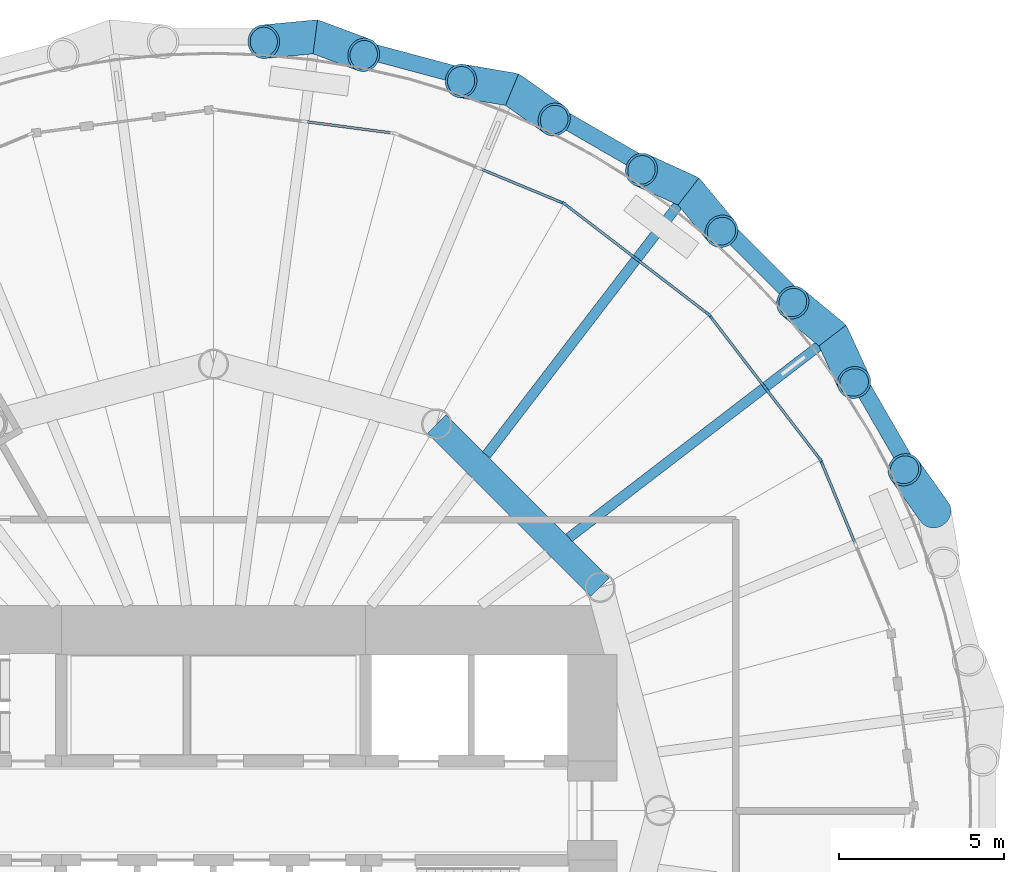
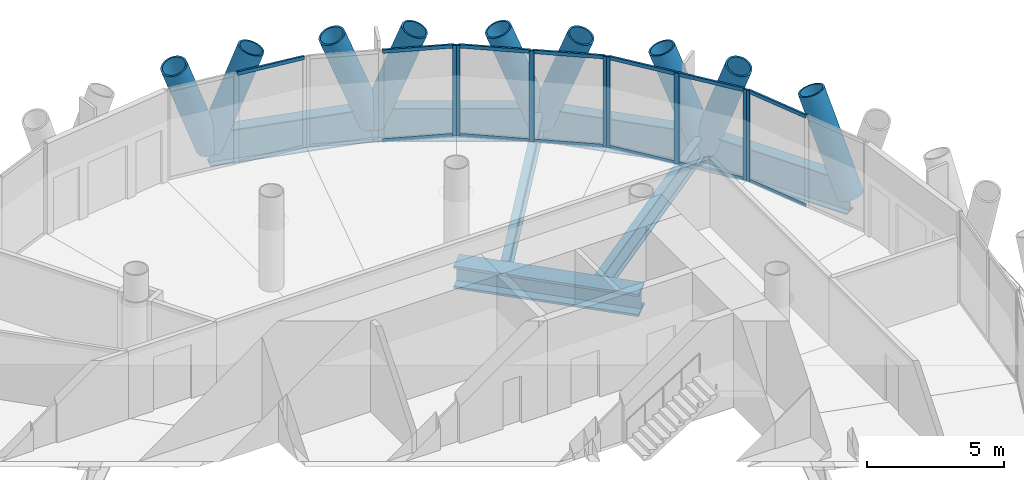
# One storey, part 7 of 14: 30 members, 7 beams, 5 elements without a shape of their own.
"""IFC4 building model written with IfcOpenShell, lengths in metres."""

from ifc_helpers import new_model, si_unit, direction, frame, origin, origin_2d, place, context, subcontext, project, spatial, rectangle, hollow_circle, i_section, extrude, material, material_profile, profile_set, type_object, element, aggregate, save


model = new_model("IFC4")

# Units and contexts
model_context = context("Model", 3, precision=1e-05, world=origin(), true_north=direction((0.0, 1.0)))
body_context = subcontext(model_context, "Body", "Model", "MODEL_VIEW")
ifc_project = project(units=[si_unit("LENGTHUNIT", "METRE"), si_unit("AREAUNIT", "SQUARE_METRE"), si_unit("VOLUMEUNIT", "CUBIC_METRE"), si_unit("PLANEANGLEUNIT", "RADIAN"), si_unit("MASSUNIT", "GRAM", prefix="KILO")], contexts=[model_context])

# Site, building, storey
site_placement = place(None, origin())
site = spatial("IfcSite", under=ifc_project, at=site_placement, CompositionType="ELEMENT")
building_placement = place(site_placement, origin())
building = spatial("IfcBuilding", under=site, at=building_placement, Name="Qaws Media Tower", CompositionType="ELEMENT")
storey_placement = place(building_placement, frame((0.0, 0.0, 202.39990234375)))
storey = spatial("IfcBuildingStorey", under=building, at=storey_placement, Name="L46", CompositionType="ELEMENT", Elevation=202.39990234375)

# Curtain wall, member
ifc_material_1 = material(Name="Aluminium and clear glass", Category="aluminium")
curtain_wall_type = type_object("IfcCurtainWallType", Name="Unitised curtain wall CW-C", PredefinedType="NOTDEFINED", material=ifc_material_1)
curtain_wall_1_placement = place(storey_placement, origin())
curtain_wall_1 = element("IfcCurtainWall", 1, at=curtain_wall_1_placement, inside=storey, type_object=curtain_wall_type, Name="CWC curtain wall L46-02", PredefinedType="NOTDEFINED")
ifc_material_2 = material(Name="Aluminium mullion", Category="aluminium")
ifc_material_profile_1 = material_profile(ifc_material_2, rectangle(XDim=0.080078125, YDim=0.199951171875, at=origin_2d()), Name="80x200")
ifc_profile_set_1 = profile_set([ifc_material_profile_1], Name="Aluminium mullion")
member_type_1 = type_object("IfcMemberType", Name="Curtain wall mullion 80x200", PredefinedType="MULLION", material=ifc_profile_set_1)
member_1_placement = place(storey_placement, frame((78.375, 60.56298828125, 0.0), z_axis=(0.0, 0.0, 1.0), x_axis=(-0.923879523321, -0.382683454553, 0.0)))
member_1 = element("IfcMember", 2, at=member_1_placement, type_object=member_type_1, Name="CWC mullion 3", PredefinedType="MULLION", context=body_context, shape_type="SweptSolid", body=[
    extrude(rectangle(XDim=0.080078125, YDim=0.199951171875, at=origin_2d()), origin(), (0.0, 0.0, 1.0), 4.0400390625),
])

# Curtain wall, members
curtain_wall_2_placement = place(storey_placement, origin())
curtain_wall_2 = element("IfcCurtainWall", 3, at=curtain_wall_2_placement, inside=storey, type_object=curtain_wall_type, Name="CWC curtain wall L46-03", PredefinedType="NOTDEFINED")
member_2_placement = place(storey_placement, frame((78.33544921875, 60.6318359375, 0.0), z_axis=(0.0, 0.0, 1.0), x_axis=(-0.793353338751, -0.608761431016, 0.0)))
member_2 = element("IfcMember", 4, at=member_2_placement, type_object=member_type_1, Name="CWC mullion 1", PredefinedType="MULLION", context=body_context, shape_type="SweptSolid", body=[
    extrude(rectangle(XDim=0.080078125, YDim=0.199951171875, at=origin_2d()), origin(), (0.0, 0.0, 1.0), 4.0400390625),
])
member_3_placement = place(storey_placement, frame((76.67529296875, 62.79541015625, 0.0), z_axis=(0.0, 0.0, 1.0), x_axis=(-0.793353338751, -0.608761431016, 0.0)))
member_3 = element("IfcMember", 5, at=member_3_placement, type_object=member_type_1, Name="CWC mullion 2", PredefinedType="MULLION", context=body_context, shape_type="SweptSolid", body=[
    extrude(rectangle(XDim=0.080078125, YDim=0.199951171875, at=origin_2d()), origin(), (0.0, 0.0, 1.0), 4.0400390625),
])
member_4_placement = place(storey_placement, frame((75.014892578125, 64.958984375, 0.0), z_axis=(0.0, 0.0, 1.0), x_axis=(-0.793353338751, -0.608761431016, 0.0)))
member_4 = element("IfcMember", 6, at=member_4_placement, type_object=member_type_1, Name="CWC mullion 3", PredefinedType="MULLION", context=body_context, shape_type="SweptSolid", body=[
    extrude(rectangle(XDim=0.080078125, YDim=0.199951171875, at=origin_2d()), origin(), (0.0, 0.0, 1.0), 4.0400390625),
])

curtain_wall_3_placement = place(storey_placement, origin())
curtain_wall_3 = element("IfcCurtainWall", 7, at=curtain_wall_3_placement, inside=storey, type_object=curtain_wall_type, Name="CWC curtain wall L46-04", PredefinedType="NOTDEFINED")
member_5_placement = place(storey_placement, frame((74.958984375, 65.014892578125, 0.0), z_axis=(0.0, 0.0, 1.0), x_axis=(-0.608761431016, -0.793353338751, 0.0)))
member_5 = element("IfcMember", 8, at=member_5_placement, type_object=member_type_1, Name="CWC mullion 1", PredefinedType="MULLION", context=body_context, shape_type="SweptSolid", body=[
    extrude(rectangle(XDim=0.080078125, YDim=0.199951171875, at=origin_2d()), origin(), (0.0, 0.0, 1.0), 4.0400390625),
])
member_6_placement = place(storey_placement, frame((72.79541015625, 66.67529296875, 0.0), z_axis=(0.0, 0.0, 1.0), x_axis=(-0.608761431016, -0.793353338751, 0.0)))
member_6 = element("IfcMember", 9, at=member_6_placement, type_object=member_type_1, Name="CWC mullion 2", PredefinedType="MULLION", context=body_context, shape_type="SweptSolid", body=[
    extrude(rectangle(XDim=0.080078125, YDim=0.199951171875, at=origin_2d()), origin(), (0.0, 0.0, 1.0), 4.0400390625),
])
member_7_placement = place(storey_placement, frame((70.6318359375, 68.33544921875, 0.0), z_axis=(0.0, 0.0, 1.0), x_axis=(-0.608761431016, -0.793353338751, 0.0)))
member_7 = element("IfcMember", 10, at=member_7_placement, type_object=member_type_1, Name="CWC mullion 3", PredefinedType="MULLION", context=body_context, shape_type="SweptSolid", body=[
    extrude(rectangle(XDim=0.080078125, YDim=0.199951171875, at=origin_2d()), origin(), (0.0, 0.0, 1.0), 4.0400390625),
])

# Curtain wall, member
curtain_wall_4_placement = place(storey_placement, origin())
curtain_wall_4 = element("IfcCurtainWall", 11, at=curtain_wall_4_placement, inside=storey, type_object=curtain_wall_type, Name="CWC curtain wall L46-05", PredefinedType="NOTDEFINED")
member_8_placement = place(storey_placement, frame((70.56298828125, 68.375, 0.0), z_axis=(0.0, 0.0, 1.0), x_axis=(-0.382683454553, -0.923879523321, 0.0)))
member_8 = element("IfcMember", 12, at=member_8_placement, type_object=member_type_1, Name="CWC mullion 1", PredefinedType="MULLION", context=body_context, shape_type="SweptSolid", body=[
    extrude(rectangle(XDim=0.080078125, YDim=0.199951171875, at=origin_2d()), origin(), (0.0, 0.0, 1.0), 4.0400390625),
])

# Member
ifc_material_3 = material(Name="Aluminium transom", Category="aluminium")
ifc_material_profile_2 = material_profile(ifc_material_3, rectangle(XDim=0.080078125, YDim=0.159912109375, at=origin_2d()), Name="80x160")
ifc_profile_set_2 = profile_set([ifc_material_profile_2], Name="Aluminium transom")
member_type_2 = type_object("IfcMemberType", Name="Curtain wall transom 80x160", PredefinedType="USERDEFINED", material=ifc_profile_set_2)
member_9_placement = place(storey_placement, frame((79.4033203125, 58.080322265625, 0.0400390625), z_axis=(-0.38263687271, 0.923898816777, 0.0), x_axis=(-0.923898816777, -0.38263687271, 0.0)))
member_9 = element("IfcMember", 13, at=member_9_placement, type_object=member_type_2, Name="CWC transom 2.1", ObjectType="TRANSOM", PredefinedType="USERDEFINED", context=body_context, shape_type="SweptSolid", body=[
    extrude(rectangle(XDim=0.080078125, YDim=0.159912109375, at=origin_2d()), origin(), (0.0, 0.0, 1.0), 2.647216796875),
])

member_10_placement = place(storey_placement, frame((79.4033203125, 58.080322265625, 4.0), z_axis=(-0.38263687271, 0.923898816777, 0.0), x_axis=(-0.923898816777, -0.38263687271, 0.0)))
member_10 = element("IfcMember", 14, at=member_10_placement, type_object=member_type_2, Name="CWC transom 2.2", ObjectType="TRANSOM", PredefinedType="USERDEFINED", context=body_context, shape_type="SweptSolid", body=[
    extrude(rectangle(XDim=0.080078125, YDim=0.159912109375, at=origin_2d()), origin(), (0.0, 0.0, 1.0), 2.647216796875),
])

aggregate(curtain_wall_1, [member_1, member_9, member_10])

member_11_placement = place(storey_placement, frame((78.31103515625, 60.66357421875, 0.0400390625), z_axis=(-0.608787739029, 0.793333151209, 0.0), x_axis=(-0.793333151209, -0.608787739029, 0.0)))
member_11 = element("IfcMember", 15, at=member_11_placement, type_object=member_type_2, Name="CWC transom 1.1", ObjectType="TRANSOM", PredefinedType="USERDEFINED", context=body_context, shape_type="SweptSolid", body=[
    extrude(rectangle(XDim=0.080078125, YDim=0.159912109375, at=origin_2d()), origin(), (0.0, 0.0, 1.0), 2.647216796875),
])

member_12_placement = place(storey_placement, frame((78.31103515625, 60.66357421875, 4.0), z_axis=(-0.608787739029, 0.793333151209, 0.0), x_axis=(-0.793333151209, -0.608787739029, 0.0)))
member_12 = element("IfcMember", 16, at=member_12_placement, type_object=member_type_2, Name="CWC transom 1.2", ObjectType="TRANSOM", PredefinedType="USERDEFINED", context=body_context, shape_type="SweptSolid", body=[
    extrude(rectangle(XDim=0.080078125, YDim=0.159912109375, at=origin_2d()), origin(), (0.0, 0.0, 1.0), 2.647216796875),
])

member_13_placement = place(storey_placement, frame((76.65087890625, 62.8271484375, 0.0400390625), z_axis=(-0.608787739029, 0.793333151209, 0.0), x_axis=(-0.793333151209, -0.608787739029, 0.0)))
member_13 = element("IfcMember", 17, at=member_13_placement, type_object=member_type_2, Name="CWC transom 2.1", ObjectType="TRANSOM", PredefinedType="USERDEFINED", context=body_context, shape_type="SweptSolid", body=[
    extrude(rectangle(XDim=0.080078125, YDim=0.159912109375, at=origin_2d()), origin(), (0.0, 0.0, 1.0), 2.647216796875),
])

member_14_placement = place(storey_placement, frame((76.65087890625, 62.8271484375, 4.0), z_axis=(-0.608787739029, 0.793333151209, 0.0), x_axis=(-0.793333151209, -0.608787739029, 0.0)))
member_14 = element("IfcMember", 18, at=member_14_placement, type_object=member_type_2, Name="CWC transom 2.2", ObjectType="TRANSOM", PredefinedType="USERDEFINED", context=body_context, shape_type="SweptSolid", body=[
    extrude(rectangle(XDim=0.080078125, YDim=0.159912109375, at=origin_2d()), origin(), (0.0, 0.0, 1.0), 2.647216796875),
])

aggregate(curtain_wall_2, [member_2, member_3, member_4, member_11, member_12, member_13, member_14])

member_15_placement = place(storey_placement, frame((74.92724609375, 65.039306640625, 0.0400390625), z_axis=(-0.793333151209, 0.608787739029, 0.0), x_axis=(-0.608787739029, -0.793333151209, 0.0)))
member_15 = element("IfcMember", 19, at=member_15_placement, type_object=member_type_2, Name="CWC transom 1.1", ObjectType="TRANSOM", PredefinedType="USERDEFINED", context=body_context, shape_type="SweptSolid", body=[
    extrude(rectangle(XDim=0.080078125, YDim=0.159912109375, at=origin_2d()), origin(), (0.0, 0.0, 1.0), 2.647216796875),
])

member_16_placement = place(storey_placement, frame((74.92724609375, 65.039306640625, 4.0), z_axis=(-0.793333151209, 0.608787739029, 0.0), x_axis=(-0.608787739029, -0.793333151209, 0.0)))
member_16 = element("IfcMember", 20, at=member_16_placement, type_object=member_type_2, Name="CWC transom 1.2", ObjectType="TRANSOM", PredefinedType="USERDEFINED", context=body_context, shape_type="SweptSolid", body=[
    extrude(rectangle(XDim=0.080078125, YDim=0.159912109375, at=origin_2d()), origin(), (0.0, 0.0, 1.0), 2.647216796875),
])

member_17_placement = place(storey_placement, frame((72.763671875, 66.699462890625, 0.0400390625), z_axis=(-0.793333151209, 0.608787739029, 0.0), x_axis=(-0.608787739029, -0.793333151209, 0.0)))
member_17 = element("IfcMember", 21, at=member_17_placement, type_object=member_type_2, Name="CWC transom 2.1", ObjectType="TRANSOM", PredefinedType="USERDEFINED", context=body_context, shape_type="SweptSolid", body=[
    extrude(rectangle(XDim=0.080078125, YDim=0.159912109375, at=origin_2d()), origin(), (0.0, 0.0, 1.0), 2.647216796875),
])

member_18_placement = place(storey_placement, frame((72.763671875, 66.699462890625, 4.0), z_axis=(-0.793333151209, 0.608787739029, 0.0), x_axis=(-0.608787739029, -0.793333151209, 0.0)))
member_18 = element("IfcMember", 22, at=member_18_placement, type_object=member_type_2, Name="CWC transom 2.2", ObjectType="TRANSOM", PredefinedType="USERDEFINED", context=body_context, shape_type="SweptSolid", body=[
    extrude(rectangle(XDim=0.080078125, YDim=0.159912109375, at=origin_2d()), origin(), (0.0, 0.0, 1.0), 2.647216796875),
])

aggregate(curtain_wall_3, [member_5, member_6, member_7, member_15, member_16, member_17, member_18])

member_19_placement = place(storey_placement, frame((70.526123046875, 68.390380859375, 0.0400390625), z_axis=(-0.923898816777, 0.38263687271, 0.0), x_axis=(-0.38263687271, -0.923898816777, 0.0)))
member_19 = element("IfcMember", 23, at=member_19_placement, type_object=member_type_2, Name="CWC transom 1.1", ObjectType="TRANSOM", PredefinedType="USERDEFINED", context=body_context, shape_type="SweptSolid", body=[
    extrude(rectangle(XDim=0.080078125, YDim=0.159912109375, at=origin_2d()), origin(), (0.0, 0.0, 1.0), 2.647216796875),
])

member_20_placement = place(storey_placement, frame((70.526123046875, 68.390380859375, 4.0), z_axis=(-0.923898816777, 0.38263687271, 0.0), x_axis=(-0.38263687271, -0.923898816777, 0.0)))
member_20 = element("IfcMember", 24, at=member_20_placement, type_object=member_type_2, Name="CWC transom 1.2", ObjectType="TRANSOM", PredefinedType="USERDEFINED", context=body_context, shape_type="SweptSolid", body=[
    extrude(rectangle(XDim=0.080078125, YDim=0.159912109375, at=origin_2d()), origin(), (0.0, 0.0, 1.0), 2.647216796875),
])

aggregate(curtain_wall_4, [member_8, member_19, member_20])

# Curtain wall, member
curtain_wall_5_placement = place(storey_placement, origin())
curtain_wall_5 = element("IfcCurtainWall", 25, at=curtain_wall_5_placement, inside=storey, type_object=curtain_wall_type, Name="CWC curtain wall L46-06", PredefinedType="NOTDEFINED")
member_21_placement = place(storey_placement, frame((65.40771484375, 70.488037109375, 4.0), z_axis=(-0.991448016129, 0.130502227239, 0.0), x_axis=(-0.130502227239, -0.991448016129, 0.0)))
member_21 = element("IfcMember", 26, at=member_21_placement, type_object=member_type_2, Name="CWC transom 1.2", ObjectType="TRANSOM", PredefinedType="USERDEFINED", context=body_context, shape_type="SweptSolid", body=[
    extrude(rectangle(XDim=0.080078125, YDim=0.159912109375, at=origin_2d()), origin(), (0.0, 0.0, 1.0), 2.647216796875),
])
aggregate(curtain_wall_5, [member_21])

# Members
ifc_material_4 = material(Name="Steel S460", Category="steel")
ifc_material_profile_3 = material_profile(ifc_material_4, hollow_circle(Radius=0.508056640625, WallThickness=0.070068359375, at=origin_2d()), Name="CHS 1016x70")
ifc_profile_set_3 = profile_set([ifc_material_profile_3], Name="Steel S460")
member_type_3 = type_object("IfcMemberType", Name="Diagrid member CHS 1016x70", PredefinedType="USERDEFINED", material=ifc_profile_set_3)
member_22_placement = place(storey_placement, frame((81.803466796875, 59.03125, -0.909912109375), z_axis=(-0.202217491802, 0.284313871152, 0.93716258391), x_axis=(-0.814902881425, -0.579597527467, 0.0)))
element("IfcMember", 27, at=member_22_placement, inside=storey, type_object=member_type_3, Name="DG3 diagrid L46 A02", ObjectType="DIAGRID", PredefinedType="USERDEFINED", context=body_context, shape_type="SweptSolid", body=[
    extrude(hollow_circle(Radius=0.508056640625, WallThickness=0.070068359375, at=origin_2d()), origin(), (0.0, 0.0, 1.0), 4.4814453125),
])
member_23_placement = place(storey_placement, frame((78.72314453125, 64.36669921875, -0.909912109375), z_axis=(-0.268950060745, 0.222263773109, 0.937157766861), x_axis=(-0.637030728168, -0.770838408079, 0.0)))
element("IfcMember", 28, at=member_23_placement, inside=storey, type_object=member_type_3, Name="DG3 diagrid L46 A03", ObjectType="DIAGRID", PredefinedType="USERDEFINED", context=body_context, shape_type="SweptSolid", body=[
    extrude(hollow_circle(Radius=0.508056640625, WallThickness=0.070068359375, at=origin_2d()), origin(), (0.0, 0.0, 1.0), 4.481689453125),
])
for number, where, z_axis, x_axis, name in (
    (29, (78.72314453125, 64.36669921875, -0.909912109375), (0.145072807863, -0.317275265863, 0.937171428337), (0.909439045115, 0.41583725569, 0.0), "DG3 diagrid L46 B03"),
    (30, (74.36669921875, 68.72314453125, -0.909912109375), (-0.317275265863, 0.145072807863, 0.937171428337), (-0.41583725569, -0.909439045115, 0.0), "DG3 diagrid L46 A04"),
):
    element("IfcMember", number, at=place(storey_placement, frame(where, z_axis=z_axis, x_axis=x_axis)), inside=storey, type_object=member_type_3, Name=name, ObjectType="DIAGRID", PredefinedType="USERDEFINED", context=body_context, shape_type="SweptSolid", body=[
        extrude(hollow_circle(Radius=0.508056640625, WallThickness=0.070068359375, at=origin_2d()), origin(), (0.0, 0.0, 1.0), 4.4814453125),
    ])
member_24_placement = place(storey_placement, frame((74.36669921875, 68.72314453125, -0.909912109375), z_axis=(0.222263773109, -0.268950060745, 0.937157766861), x_axis=(0.770838408079, 0.637030728168, 0.0)))
element("IfcMember", 31, at=member_24_placement, inside=storey, type_object=member_type_3, Name="DG3 diagrid L46 B04", ObjectType="DIAGRID", PredefinedType="USERDEFINED", context=body_context, shape_type="SweptSolid", body=[
    extrude(hollow_circle(Radius=0.508056640625, WallThickness=0.070068359375, at=origin_2d()), origin(), (0.0, 0.0, 1.0), 4.481689453125),
])
for number, where, z_axis, x_axis, name in (
    (32, (69.03125, 71.803466796875, -0.909912109375), (-0.34402209257, 0.058017977607, 0.937167388516), (-0.166297781756, -0.986075579143, 0.0), "DG3 diagrid L46 A05"),
    (33, (69.03125, 71.803466796875, -0.909912109375), (0.284313871152, -0.202217491802, 0.93716258391), (0.579597527467, 0.814902881425, 0.0), "DG3 diagrid L46 B05"),
    (34, (63.080322265625, 73.398193359375, -0.909912109375), (-0.347292966152, -0.03306773811, 0.937173473994), (0.094786985058, -0.995497577829, 0.0), "DG3 diagrid L46 A06"),
):
    element("IfcMember", number, at=place(storey_placement, frame(where, z_axis=z_axis, x_axis=x_axis)), inside=storey, type_object=member_type_3, Name=name, ObjectType="DIAGRID", PredefinedType="USERDEFINED", context=body_context, shape_type="SweptSolid", body=[
        extrude(hollow_circle(Radius=0.508056640625, WallThickness=0.070068359375, at=origin_2d()), origin(), (0.0, 0.0, 1.0), 4.4814453125),
    ])
member_25_placement = place(storey_placement, frame((63.080322265625, 73.398193359375, -0.909912109375), z_axis=(0.326965826616, -0.121808661832, 0.937153134834), x_axis=(0.349103646691, 0.937084117818, 0.0)))
element("IfcMember", 35, at=member_25_placement, inside=storey, type_object=member_type_3, Name="DG3 diagrid L46 B06", ObjectType="DIAGRID", PredefinedType="USERDEFINED", context=body_context, shape_type="SweptSolid", body=[
    extrude(hollow_circle(Radius=0.508056640625, WallThickness=0.070068359375, at=origin_2d()), origin(), (0.0, 0.0, 1.0), 4.481689453125),
])

# Beams
ifc_material_5 = material(Name="Steel S460", Category="steel")
ifc_material_profile_4 = material_profile(ifc_material_5, i_section(OverallWidth=0.5, OverallDepth=1.5, WebThickness=0.02001953125, FlangeThickness=0.0400390625, at=origin_2d()), Name="PG 1500x500")
ifc_profile_set_4 = profile_set([ifc_material_profile_4], Name="Steel S460")
beam_type_1 = type_object("IfcBeamType", Name="Edge ring beam PG 1500x500", PredefinedType="BEAM", material=ifc_profile_set_4)
for number, where, z_axis, x_axis, name in (
    (36, (81.803466796875, 59.03125, -0.909912109375), (-0.499987731599, 0.866032486833, 0.0), (-0.866032486833, -0.499987731599, 0.0), "RB4 edge ring beam L46-02"),
    (37, (78.72314453125, 64.36669921875, -0.909912109375), (-0.707106781187, 0.707106781187, 0.0), (-0.707106781187, -0.707106781187, 0.0), "RB4 edge ring beam L46-03"),
    (38, (74.36669921875, 68.72314453125, -0.909912109375), (-0.866032486833, 0.499987731599, 0.0), (-0.499987731599, -0.866032486833, 0.0), "RB4 edge ring beam L46-04"),
    (39, (69.03125, 71.803466796875, -0.909912109375), (-0.965918510339, 0.258846347058, 0.0), (-0.258846347058, -0.965918510339, 0.0), "RB4 edge ring beam L46-05"),
):
    element("IfcBeam", number, at=place(storey_placement, frame(where, z_axis=z_axis, x_axis=x_axis)), inside=storey, type_object=beam_type_1, Name=name, PredefinedType="BEAM", context=body_context, shape_type="SweptSolid", body=[
        extrude(i_section(OverallWidth=0.5, OverallDepth=1.5, WebThickness=0.02001953125, FlangeThickness=0.0400390625, at=origin_2d()), origin(), (0.0, 0.0, 1.0), 6.160888671875),
    ])
ifc_material_6 = material(Name="Steel S460", Category="steel")
ifc_material_profile_5 = material_profile(ifc_material_6, i_section(OverallWidth=0.800048828125, OverallDepth=1.0, WebThickness=0.0400390625, FlangeThickness=0.10009765625, at=origin_2d()), Name="PG 1000x800")
ifc_profile_set_5 = profile_set([ifc_material_profile_5], Name="Steel S460")
beam_type_2 = type_object("IfcBeamType", Name="Inner ring girder PG 1000x800", PredefinedType="BEAM", material=ifc_profile_set_5)
beam_placement = place(storey_placement, frame((71.69140625, 56.75, -0.659912109375), z_axis=(-0.707106781187, 0.707106781187, 0.0), x_axis=(-0.707106781187, -0.707106781187, 0.0)))
element("IfcBeam", 40, at=beam_placement, inside=storey, type_object=beam_type_2, Name="B3 inner ring beam L46 I02-I03", PredefinedType="BEAM", context=body_context, shape_type="SweptSolid", body=[
    extrude(i_section(OverallWidth=0.800048828125, OverallDepth=1.0, WebThickness=0.0400390625, FlangeThickness=0.10009765625, at=origin_2d()), origin(), (0.0, 0.0, 1.0), 6.98828125),
])
ifc_material_7 = material(Name="Steel S355", Category="steel")
ifc_material_profile_6 = material_profile(ifc_material_7, i_section(OverallWidth=0.302001953125, OverallDepth=1.008056640625, WebThickness=0.02099609375, FlangeThickness=0.0400390625, FilletRadius=0.030029296875, at=origin_2d()), Name="HE 1000 M")
ifc_profile_set_6 = profile_set([ifc_material_profile_6], Name="Steel S355")
beam_type_3 = type_object("IfcBeamType", Name="Radial beam HE 1000 M", PredefinedType="BEAM", material=ifc_profile_set_6)
for number, where, z_axis, x_axis, name in (
    (41, (70.754638671875, 58.25244140625, -0.663818359375), (0.793362562269, 0.608749410505, 0.0), (-0.608749410505, 0.793362562269, 0.0), "B1 radial beam L46 03"),
    (42, (68.25244140625, 60.754638671875, -0.663818359375), (0.608749410505, 0.793362562269, 0.0), (-0.793362562269, 0.608749410505, 0.0), "B1 radial beam L46 04"),
):
    element("IfcBeam", number, at=place(storey_placement, frame(where, z_axis=z_axis, x_axis=x_axis)), inside=storey, type_object=beam_type_3, Name=name, PredefinedType="BEAM", context=body_context, shape_type="SweptSolid", body=[
        extrude(i_section(OverallWidth=0.302001953125, OverallDepth=1.008056640625, WebThickness=0.02099609375, FlangeThickness=0.0400390625, FilletRadius=0.030029296875, at=origin_2d()), origin(), (0.0, 0.0, 1.0), 10.0439453125),
    ])

save(model, "model.ifc")
